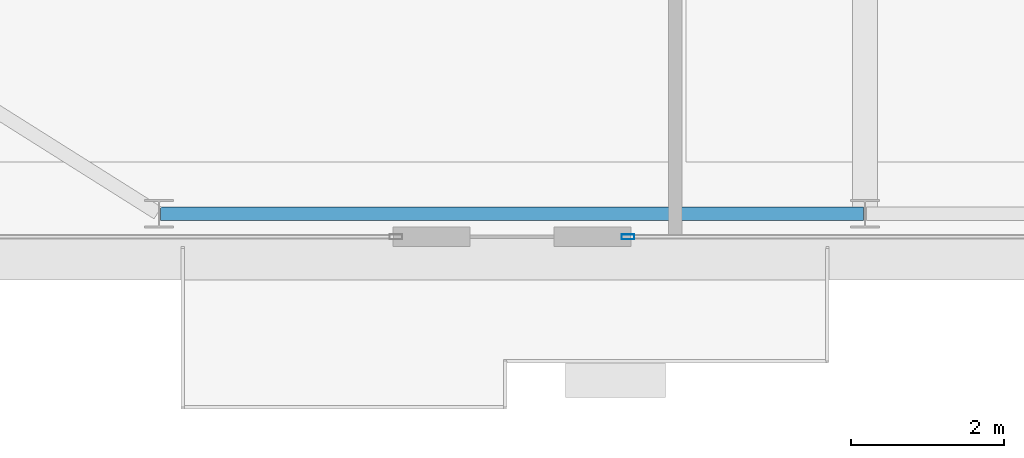
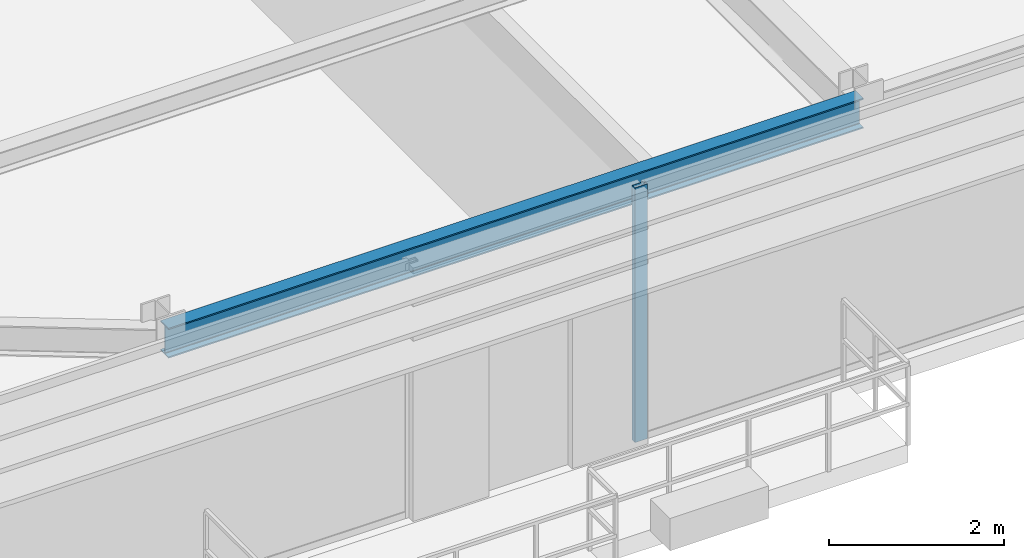
# One storey, part 6 of 31: 1 beam, 1 member, 1 element without a shape of its own.
"""IFC4 building model written with IfcOpenShell, lengths in metres."""

from ifc_helpers import new_model, si_unit, direction, frame, origin, origin_2d, place, context, subcontext, project, spatial, hollow_rectangle, i_section, extrude, source, transform, mapped, material, layer, layer_set, material_profile, profile_set, type_object, type_shapes, element, aggregate, save


model = new_model("IFC4")

# Units and contexts
model_context = context("Model", 3, precision=1e-05, world=origin(), true_north=direction((0.0, 1.0)))
body_context = subcontext(model_context, "Body", "Model", "MODEL_VIEW")
ifc_project = project(units=[si_unit("LENGTHUNIT", "METRE"), si_unit("AREAUNIT", "SQUARE_METRE"), si_unit("VOLUMEUNIT", "CUBIC_METRE"), si_unit("PLANEANGLEUNIT", "RADIAN"), si_unit("MASSUNIT", "GRAM", prefix="KILO")], contexts=[model_context])

# Site, building, storey
site_placement = place(None, origin())
site = spatial("IfcSite", under=ifc_project, at=site_placement, CompositionType="ELEMENT")
building_placement = place(site_placement, origin())
building = spatial("IfcBuilding", under=site, at=building_placement, Name="Varnel Quay Broadcast Tower", CompositionType="ELEMENT")
storey_placement = place(building_placement, frame((0.0, 0.0, 153.39990234375)))
storey = spatial("IfcBuildingStorey", under=building, at=storey_placement, Name="L37", CompositionType="ELEMENT", Elevation=153.39990234375)

# Beam
ifc_material_1 = material(Name="Structural Steel CSA G40.21 350W", Category="steel")
ifc_material_profile_1 = material_profile(ifc_material_1, i_section(OverallWidth=0.180908203125, OverallDepth=0.4169921875, WebThickness=0.010986328125, FlangeThickness=0.018310546875, FilletRadius=0.011962890625, at=origin_2d()), Name="W410X85")
ifc_profile_set_1 = profile_set([ifc_material_profile_1], Name="Structural Steel CSA G40.21 350W")
beam_type = type_object("IfcBeamType", Name="Beam_W410X85", PredefinedType="SPANDREL", material=ifc_profile_set_1)
shared_shape_1 = source(origin(), body_context, "Body", "SweptSolid", [
    extrude(i_section(OverallWidth=0.180908203125, OverallDepth=0.4169921875, WebThickness=0.010986328125, FlangeThickness=0.018310546875, FilletRadius=0.011962890625, at=origin_2d()), origin(), (0.0, 0.0, 1.0), 9.159912109375),
])
type_shapes(beam_type, [shared_shape_1])
beam_placement = place(storey_placement, frame((15.6201171875, 7.64990234375, 3.341552734375), z_axis=(1.0, 0.0, 0.0), x_axis=(0.0, 1.0, 0.0)))
element("IfcBeam", 1, at=beam_placement, inside=storey, type_object=beam_type, Name="L37 South Spandrel TC-S1-TC-S2", PredefinedType="SPANDREL", context=body_context, shape_type="MappedRepresentation", body=[
    mapped(shared_shape_1, transform((0.0, 0.0, 0.0), x_axis=(1.0, 0.0, 0.0), y_axis=(0.0, 1.0, 0.0), z_axis=(0.0, 0.0, 1.0), scale=1.0)),
])

# Curtain wall, member
ifc_material_2 = material(Name="Anodised Bronze Aluminium 6063-T6", Category="aluminium")
ifc_layer = layer(ifc_material_2, 0.18994140625, Name="Anodised Bronze Aluminium 6063-T6")
ifc_layer_set = layer_set([ifc_layer], Name="Anodised Bronze Aluminium 6063-T6")
curtain_wall_type = type_object("IfcCurtainWallType", Name="CW_UpperTower", PredefinedType="NOTDEFINED", material=ifc_layer_set)
curtain_wall_placement = place(storey_placement, origin())
curtain_wall = element("IfcCurtainWall", 2, at=curtain_wall_placement, inside=storey, type_object=curtain_wall_type, Name="L37 South Unitised Curtain Wall 2", PredefinedType="NOTDEFINED")
ifc_material_profile_2 = material_profile(ifc_material_2, hollow_rectangle(XDim=0.06494140625, YDim=0.1650390625, WallThickness=0.00341796875, at=origin_2d()), Name="ALU65X165X3.5")
ifc_profile_set_2 = profile_set([ifc_material_profile_2], Name="Anodised Bronze Aluminium 6063-T6")
member_type = type_object("IfcMemberType", Name="Mull_CWS-03", PredefinedType="MULLION", material=ifc_profile_set_2)
shared_shape_2 = source(origin(), body_context, "Body", "SweptSolid", [
    extrude(hollow_rectangle(XDim=0.06494140625, YDim=0.1650390625, WallThickness=0.00341796875, at=origin_2d()), origin(), (0.0, 0.0, 1.0), 3.550048828125),
])
type_shapes(member_type, [shared_shape_2])
member_placement = place(storey_placement, frame((21.71240234375, 7.35009765625, 0.0), z_axis=(0.0, 0.0, 1.0), x_axis=(0.0, 1.0, 0.0)))
member = element("IfcMember", 3, at=member_placement, type_object=member_type, Name="CWS-03 mullion 1", PredefinedType="MULLION", context=body_context, shape_type="MappedRepresentation", body=[
    mapped(shared_shape_2, transform((0.0, 0.0, 0.0), x_axis=(1.0, 0.0, 0.0), y_axis=(0.0, 1.0, 0.0), z_axis=(0.0, 0.0, 1.0), scale=1.0)),
])
aggregate(curtain_wall, [member])

save(model, "model.ifc")
